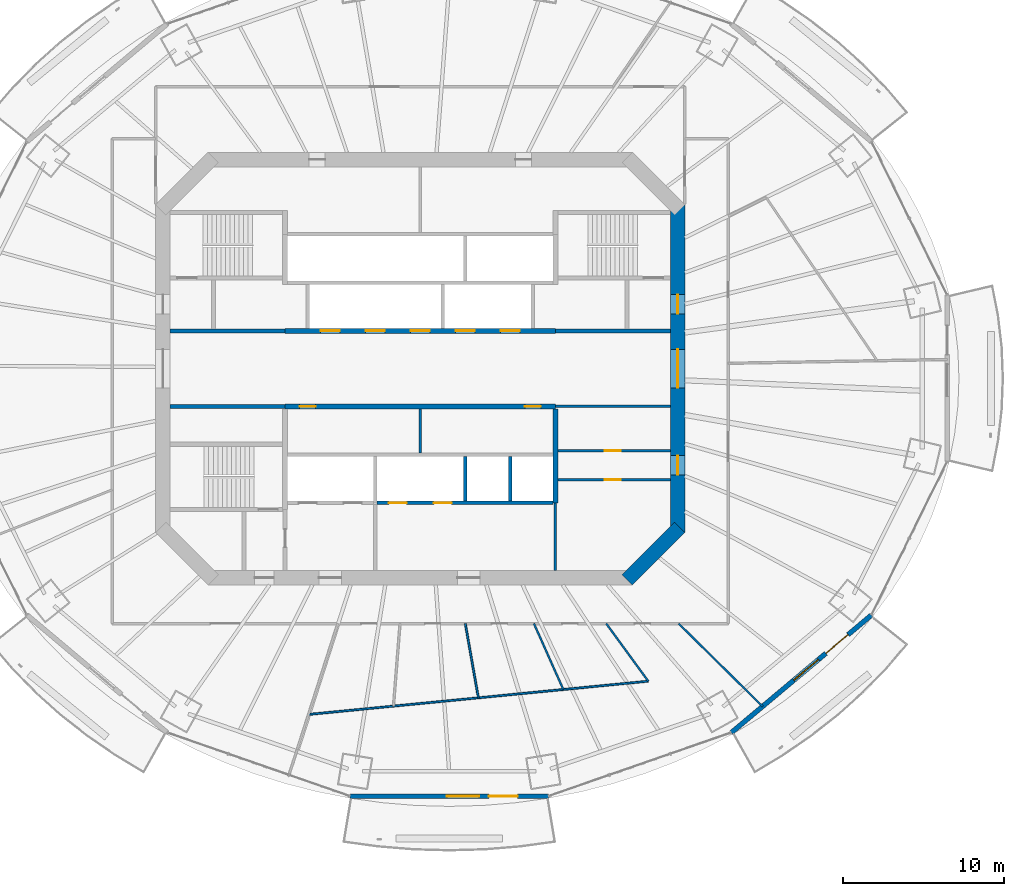
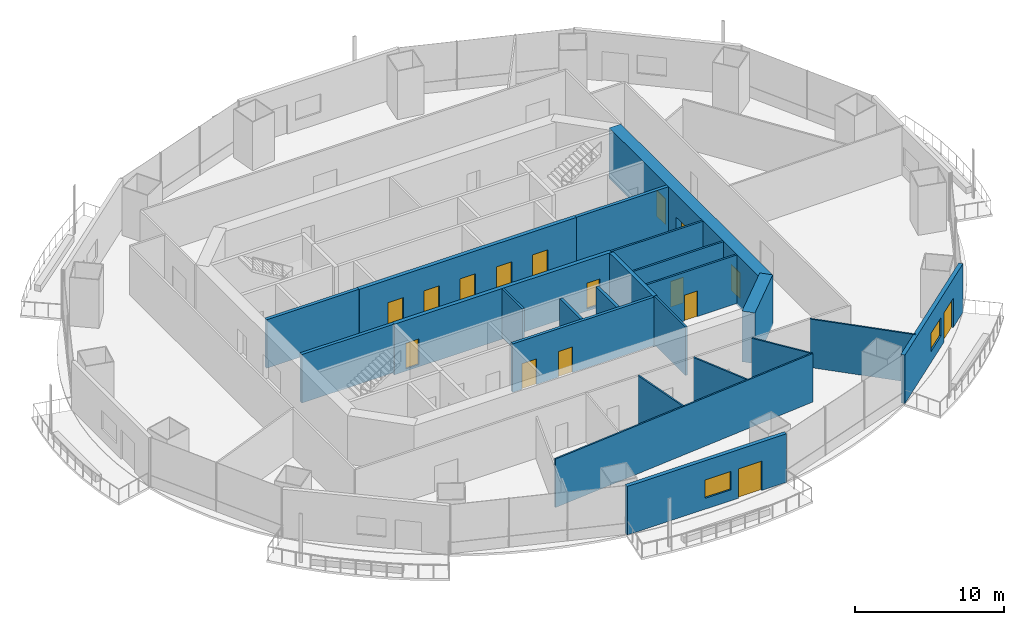
# One storey, part 13 of 21: 23 walls, 16 doors, 2 windows, 18 openings.
"""IFC4 building model written with IfcOpenShell, lengths in metres."""

from ifc_helpers import new_model, si_unit, direction, frame, frame_2d, origin, place, context, subcontext, project, spatial, rectangle, extrude, material, layer, layer_set, type_object, element, fill, save


model = new_model("IFC4")

# Units and contexts
model_context = context("Model", 3, precision=1e-05, world=origin(), true_north=direction((0.0, 1.0)))
body_context = subcontext(model_context, "Body", "Model", "MODEL_VIEW")
ifc_project = project(units=[si_unit("LENGTHUNIT", "METRE"), si_unit("AREAUNIT", "SQUARE_METRE"), si_unit("VOLUMEUNIT", "CUBIC_METRE"), si_unit("PLANEANGLEUNIT", "RADIAN"), si_unit("MASSUNIT", "GRAM", prefix="KILO")], contexts=[model_context])

# Site, building, storey
site_placement = place(None, origin())
site = spatial("IfcSite", under=ifc_project, at=site_placement, CompositionType="ELEMENT")
building_placement = place(site_placement, origin())
building = spatial("IfcBuilding", under=site, at=building_placement, Name="Marenthal Gate Tower", CompositionType="ELEMENT")
storey_placement = place(building_placement, frame((0.0, 0.0, 202.550048828125)))
storey = spatial("IfcBuildingStorey", under=building, at=storey_placement, Name="L44", CompositionType="ELEMENT", Elevation=202.550048828125)

# Wall
ifc_material_1 = material(Name="Concrete 60 MPa", Category="concrete")
ifc_layer_1 = layer(ifc_material_1, 0.89990234375)
ifc_layer_set_1 = layer_set([ifc_layer_1], Name="Core shear wall 900")
wall_type_1 = type_object("IfcWallType", Name="Core shear wall 900", PredefinedType="SHEAR", material=ifc_layer_set_1)
wall_1_placement = place(storey_placement, frame((12.8681640625, -13.1318359375, -0.179931640625), z_axis=(0.0, 0.0, 1.0), x_axis=(0.707106781187, 0.707106781187, 0.0)))
element("IfcWall", 1, at=wall_1_placement, inside=storey, type_object=wall_type_1, Name="Core wall 01", PredefinedType="SHEAR", context=body_context, shape_type="SweptSolid", body=[
    extrude(rectangle(XDim=4.615478515625, YDim=0.89990234375, at=frame_2d((2.3076171875, 0.0))), origin(), (0.0, 0.0, 1.0), 4.14990234375),
])

# Wall, openings, doors
wall_2_placement = place(storey_placement, frame((16.0, -10.186279296875, -0.179931640625), z_axis=(0.0, 0.0, 1.0), x_axis=(0.0, 1.0, 0.0)))
wall_2 = element("IfcWall", 2, at=wall_2_placement, inside=storey, type_object=wall_type_1, Name="Core wall 02", PredefinedType="SHEAR", context=body_context, shape_type="SweptSolid", body=[
    extrude(rectangle(XDim=20.37255859375, YDim=0.89990234375, at=frame_2d((10.186279296875, 0.0))), origin(), (0.0, 0.0, 1.0), 4.14990234375),
])
opening_1_placement = place(wall_2_placement, frame((8.986328125, 0.0, 0.179931640625)))
opening_1 = element("IfcOpeningElement", 3, at=opening_1_placement, cuts=wall_2, Name="Opening D003.02", PredefinedType="OPENING", context=body_context, shape_type="SweptSolid", body=[
    extrude(rectangle(XDim=2.39990234375, YDim=2.10009765625, at=frame_2d((1.199951171875, 1.050048828125))), frame((0.0, 0.4599609375, 0.0), z_axis=(0.0, -1.0, 0.0), x_axis=(1.0, 0.0, 0.0)), (0.0, 0.0, 1.0), 0.919921875),
])
opening_2_placement = place(wall_2_placement, frame((13.58642578125, 0.0, 0.179931640625)))
opening_2 = element("IfcOpeningElement", 4, at=opening_2_placement, cuts=wall_2, Name="Opening D001.05", PredefinedType="OPENING", context=body_context, shape_type="SweptSolid", body=[
    extrude(rectangle(XDim=1.199951171875, YDim=2.10009765625, at=frame_2d((0.60009765625, 1.050048828125))), frame((0.0, 0.4599609375, 0.0), z_axis=(0.0, -1.0, 0.0), x_axis=(1.0, 0.0, 0.0)), (0.0, 0.0, 1.0), 0.919921875),
])
opening_3_placement = place(wall_2_placement, frame((3.58642578125, 0.0, 0.179931640625)))
opening_3 = element("IfcOpeningElement", 5, at=opening_3_placement, cuts=wall_2, Name="Opening D006.01", PredefinedType="OPENING", context=body_context, shape_type="SweptSolid", body=[
    extrude(rectangle(XDim=1.199951171875, YDim=2.10009765625, at=frame_2d((0.60009765625, 1.050048828125))), frame((0.0, 0.4599609375, 0.0), z_axis=(0.0, -1.0, 0.0), x_axis=(1.0, 0.0, 0.0)), (0.0, 0.0, 1.0), 0.919921875),
])
ifc_material_2 = material(Name="Steel fire door", Category="steel")
door_type_1 = type_object("IfcDoorType", Name="Double fire door FD 45 2400 x 2100", OperationType="DOUBLE_DOOR_SINGLE_SWING", PredefinedType="DOOR", material=ifc_material_2)
door_1_placement = place(opening_1_placement, origin())
door_1 = element("IfcDoor", 6, at=door_1_placement, inside=storey, type_object=door_type_1, Name="Door D003.02", OperationType="DOUBLE_DOOR_SINGLE_SWING", OverallHeight=2.10009765625, OverallWidth=2.39990234375, PredefinedType="DOOR", context=body_context, shape_type="SweptSolid", body=[
    extrude(rectangle(XDim=2.39990234375, YDim=2.10009765625, at=frame_2d((1.199951171875, 1.050048828125))), frame((0.0, 0.02490234375, 0.0), z_axis=(0.0, -1.0, 0.0), x_axis=(1.0, 0.0, 0.0)), (0.0, 0.0, 1.0), 0.050048828125),
])
fill(opening_1, door_1)
ifc_material_3 = material(Name="Steel fire door", Category="steel")
door_type_2 = type_object("IfcDoorType", Name="Fire door FD 45 1200 x 2100", OperationType="NOTDEFINED", PredefinedType="DOOR", material=ifc_material_3)
door_2_placement = place(opening_3_placement, origin())
door_2 = element("IfcDoor", 7, at=door_2_placement, inside=storey, type_object=door_type_2, Name="Door D006.01", OperationType="SINGLE_SWING_RIGHT", OverallHeight=2.10009765625, OverallWidth=1.199951171875, PredefinedType="DOOR", context=body_context, shape_type="SweptSolid", body=[
    extrude(rectangle(XDim=1.199951171875, YDim=2.10009765625, at=frame_2d((0.60009765625, 1.050048828125))), frame((0.0, 0.02490234375, 0.0), z_axis=(0.0, -1.0, 0.0), x_axis=(1.0, 0.0, 0.0)), (0.0, 0.0, 1.0), 0.050048828125),
])
fill(opening_3, door_2)
ifc_material_4 = material(Name="Steel fire door", Category="steel")
door_type_3 = type_object("IfcDoorType", Name="Fire door FD 90 1200 x 2100", OperationType="NOTDEFINED", PredefinedType="DOOR", material=ifc_material_4)
door_3_placement = place(opening_2_placement, origin())
door_3 = element("IfcDoor", 8, at=door_3_placement, inside=storey, type_object=door_type_3, Name="Door D001.05", OperationType="SINGLE_SWING_RIGHT", OverallHeight=2.10009765625, OverallWidth=1.199951171875, PredefinedType="DOOR", context=body_context, shape_type="SweptSolid", body=[
    extrude(rectangle(XDim=1.199951171875, YDim=2.10009765625, at=frame_2d((0.60009765625, 1.050048828125))), frame((0.0, 0.02490234375, 0.0), z_axis=(0.0, -1.0, 0.0), x_axis=(1.0, 0.0, 0.0)), (0.0, 0.0, 1.0), 0.050048828125),
])
fill(opening_2, door_3)

ifc_material_5 = material(Name="Concrete 50 MPa", Category="concrete")
ifc_layer_2 = layer(ifc_material_5, 0.300048828125)
ifc_layer_set_2 = layer_set([ifc_layer_2], Name="Hoistway shear wall 300")
wall_type_2 = type_object("IfcWallType", Name="Hoistway shear wall 300", PredefinedType="SHEAR", material=ifc_layer_set_2)
wall_3_placement = place(storey_placement, frame((-8.39990234375, -2.35009765625, -0.179931640625), z_axis=(0.0, 0.0, 1.0), x_axis=(1.0, 0.0, 0.0)))
wall_3 = element("IfcWall", 9, at=wall_3_placement, inside=storey, type_object=wall_type_2, Name="Hoistway wall 17", PredefinedType="SHEAR", context=body_context, shape_type="SweptSolid", body=[
    extrude(rectangle(XDim=16.7998046875, YDim=0.300048828125, at=frame_2d((8.39990234375, 0.0))), origin(), (0.0, 0.0, 1.0), 4.14990234375),
])
opening_4_placement = place(wall_3_placement, frame((0.89990234375, 0.0, 0.179931640625)))
opening_4 = element("IfcOpeningElement", 10, at=opening_4_placement, cuts=wall_3, Name="Opening D005.01", PredefinedType="OPENING", context=body_context, shape_type="SweptSolid", body=[
    extrude(rectangle(XDim=1.0, YDim=2.10009765625, at=frame_2d((0.5, 1.050048828125))), frame((0.0, 0.16015625, 0.0), z_axis=(0.0, -1.0, 0.0), x_axis=(1.0, 0.0, 0.0)), (0.0, 0.0, 1.0), 0.320068359375),
])
opening_5_placement = place(wall_3_placement, frame((14.89990234375, 0.0, 0.179931640625)))
opening_5 = element("IfcOpeningElement", 11, at=opening_5_placement, cuts=wall_3, Name="Opening D005.02", PredefinedType="OPENING", context=body_context, shape_type="SweptSolid", body=[
    extrude(rectangle(XDim=1.0, YDim=2.10009765625, at=frame_2d((0.5, 1.050048828125))), frame((0.0, 0.16015625, 0.0), z_axis=(0.0, -1.0, 0.0), x_axis=(1.0, 0.0, 0.0)), (0.0, 0.0, 1.0), 0.320068359375),
])
ifc_material_6 = material(Name="Steel fire door", Category="steel")
door_type_4 = type_object("IfcDoorType", Name="Fire door FD 45 1000 x 2100", OperationType="NOTDEFINED", PredefinedType="DOOR", material=ifc_material_6)
door_4_placement = place(opening_4_placement, frame((1.0, 0.0, 0.0), z_axis=(0.0, 0.0, 1.0), x_axis=(-1.0, 0.0, 0.0)))
door_4 = element("IfcDoor", 12, at=door_4_placement, inside=storey, type_object=door_type_4, Name="Door D005.01", OperationType="SINGLE_SWING_LEFT", OverallHeight=2.10009765625, OverallWidth=1.0, PredefinedType="DOOR", context=body_context, shape_type="SweptSolid", body=[
    extrude(rectangle(XDim=1.0, YDim=2.10009765625, at=frame_2d((0.5, 1.050048828125))), frame((0.0, 0.02490234375, 0.0), z_axis=(0.0, -1.0, 0.0), x_axis=(1.0, 0.0, 0.0)), (0.0, 0.0, 1.0), 0.050048828125),
])
fill(opening_4, door_4)
door_5_placement = place(opening_5_placement, frame((1.0, 0.0, 0.0), z_axis=(0.0, 0.0, 1.0), x_axis=(-1.0, 0.0, 0.0)))
door_5 = element("IfcDoor", 13, at=door_5_placement, inside=storey, type_object=door_type_4, Name="Door D005.02", OperationType="SINGLE_SWING_LEFT", OverallHeight=2.10009765625, OverallWidth=1.0, PredefinedType="DOOR", context=body_context, shape_type="SweptSolid", body=[
    extrude(rectangle(XDim=1.0, YDim=2.10009765625, at=frame_2d((0.5, 1.050048828125))), frame((0.0, 0.02490234375, 0.0), z_axis=(0.0, -1.0, 0.0), x_axis=(1.0, 0.0, 0.0)), (0.0, 0.0, 1.0), 0.050048828125),
])
fill(opening_5, door_5)

wall_4_placement = place(storey_placement, frame((-8.39990234375, 2.35009765625, -0.179931640625), z_axis=(0.0, 0.0, 1.0), x_axis=(1.0, 0.0, 0.0)))
wall_4 = element("IfcWall", 14, at=wall_4_placement, inside=storey, type_object=wall_type_2, Name="Hoistway wall 20", PredefinedType="SHEAR", context=body_context, shape_type="SweptSolid", body=[
    extrude(rectangle(XDim=16.7998046875, YDim=0.300048828125, at=frame_2d((8.39990234375, 0.0))), origin(), (0.0, 0.0, 1.0), 4.14990234375),
])
opening_6_placement = place(wall_4_placement, frame((2.199951171875, 0.0, 0.179931640625)))
opening_6 = element("IfcOpeningElement", 15, at=opening_6_placement, cuts=wall_4, Name="Opening LD-MP1", PredefinedType="OPENING", context=body_context, shape_type="SweptSolid", body=[
    extrude(rectangle(XDim=1.199951171875, YDim=2.10009765625, at=frame_2d((0.60009765625, 1.050048828125))), frame((0.0, 0.16015625, 0.0), z_axis=(0.0, -1.0, 0.0), x_axis=(1.0, 0.0, 0.0)), (0.0, 0.0, 1.0), 0.320068359375),
])
opening_7_placement = place(wall_4_placement, frame((5.0, 0.0, 0.179931640625)))
opening_7 = element("IfcOpeningElement", 16, at=opening_7_placement, cuts=wall_4, Name="Opening LD-MP2", PredefinedType="OPENING", context=body_context, shape_type="SweptSolid", body=[
    extrude(rectangle(XDim=1.199951171875, YDim=2.10009765625, at=frame_2d((0.60009765625, 1.050048828125))), frame((0.0, 0.16015625, 0.0), z_axis=(0.0, -1.0, 0.0), x_axis=(1.0, 0.0, 0.0)), (0.0, 0.0, 1.0), 0.320068359375),
])
opening_8_placement = place(wall_4_placement, frame((7.800048828125, 0.0, 0.179931640625)))
opening_8 = element("IfcOpeningElement", 17, at=opening_8_placement, cuts=wall_4, Name="Opening LD-MP3", PredefinedType="OPENING", context=body_context, shape_type="SweptSolid", body=[
    extrude(rectangle(XDim=1.199951171875, YDim=2.10009765625, at=frame_2d((0.60009765625, 1.050048828125))), frame((0.0, 0.16015625, 0.0), z_axis=(0.0, -1.0, 0.0), x_axis=(1.0, 0.0, 0.0)), (0.0, 0.0, 1.0), 0.320068359375),
])
opening_9_placement = place(wall_4_placement, frame((10.60009765625, 0.0, 0.179931640625)))
opening_9 = element("IfcOpeningElement", 18, at=opening_9_placement, cuts=wall_4, Name="Opening LD-MP4", PredefinedType="OPENING", context=body_context, shape_type="SweptSolid", body=[
    extrude(rectangle(XDim=1.199951171875, YDim=2.10009765625, at=frame_2d((0.60009765625, 1.050048828125))), frame((0.0, 0.16015625, 0.0), z_axis=(0.0, -1.0, 0.0), x_axis=(1.0, 0.0, 0.0)), (0.0, 0.0, 1.0), 0.320068359375),
])
opening_10_placement = place(wall_4_placement, frame((13.39990234375, 0.0, 0.179931640625)))
opening_10 = element("IfcOpeningElement", 19, at=opening_10_placement, cuts=wall_4, Name="Opening LD-MP5", PredefinedType="OPENING", context=body_context, shape_type="SweptSolid", body=[
    extrude(rectangle(XDim=1.199951171875, YDim=2.10009765625, at=frame_2d((0.60009765625, 1.050048828125))), frame((0.0, 0.16015625, 0.0), z_axis=(0.0, -1.0, 0.0), x_axis=(1.0, 0.0, 0.0)), (0.0, 0.0, 1.0), 0.320068359375),
])
ifc_material_7 = material(Name="Stainless steel sliding door", Category="steel")
door_type_5 = type_object("IfcDoorType", Name="Lift landing door FD 90 1200 x 2100", OperationType="DOUBLE_DOOR_SLIDING", PredefinedType="DOOR", material=ifc_material_7)
door_6_placement = place(opening_6_placement, origin())
door_6 = element("IfcDoor", 20, at=door_6_placement, inside=storey, type_object=door_type_5, Name="Lift landing door MP1", OperationType="DOUBLE_DOOR_SLIDING", OverallHeight=2.10009765625, OverallWidth=1.199951171875, PredefinedType="DOOR", context=body_context, shape_type="SweptSolid", body=[
    extrude(rectangle(XDim=1.199951171875, YDim=2.10009765625, at=frame_2d((0.60009765625, 1.050048828125))), frame((0.0, 0.02490234375, 0.0), z_axis=(0.0, -1.0, 0.0), x_axis=(1.0, 0.0, 0.0)), (0.0, 0.0, 1.0), 0.050048828125),
])
fill(opening_6, door_6)
door_7_placement = place(opening_7_placement, origin())
door_7 = element("IfcDoor", 21, at=door_7_placement, inside=storey, type_object=door_type_5, Name="Lift landing door MP2", OperationType="DOUBLE_DOOR_SLIDING", OverallHeight=2.10009765625, OverallWidth=1.199951171875, PredefinedType="DOOR", context=body_context, shape_type="SweptSolid", body=[
    extrude(rectangle(XDim=1.199951171875, YDim=2.10009765625, at=frame_2d((0.60009765625, 1.050048828125))), frame((0.0, 0.02490234375, 0.0), z_axis=(0.0, -1.0, 0.0), x_axis=(1.0, 0.0, 0.0)), (0.0, 0.0, 1.0), 0.050048828125),
])
fill(opening_7, door_7)
door_8_placement = place(opening_8_placement, origin())
door_8 = element("IfcDoor", 22, at=door_8_placement, inside=storey, type_object=door_type_5, Name="Lift landing door MP3", OperationType="DOUBLE_DOOR_SLIDING", OverallHeight=2.10009765625, OverallWidth=1.199951171875, PredefinedType="DOOR", context=body_context, shape_type="SweptSolid", body=[
    extrude(rectangle(XDim=1.199951171875, YDim=2.10009765625, at=frame_2d((0.60009765625, 1.050048828125))), frame((0.0, 0.02490234375, 0.0), z_axis=(0.0, -1.0, 0.0), x_axis=(1.0, 0.0, 0.0)), (0.0, 0.0, 1.0), 0.050048828125),
])
fill(opening_8, door_8)
door_9_placement = place(opening_9_placement, origin())
door_9 = element("IfcDoor", 23, at=door_9_placement, inside=storey, type_object=door_type_5, Name="Lift landing door MP4", OperationType="DOUBLE_DOOR_SLIDING", OverallHeight=2.10009765625, OverallWidth=1.199951171875, PredefinedType="DOOR", context=body_context, shape_type="SweptSolid", body=[
    extrude(rectangle(XDim=1.199951171875, YDim=2.10009765625, at=frame_2d((0.60009765625, 1.050048828125))), frame((0.0, 0.02490234375, 0.0), z_axis=(0.0, -1.0, 0.0), x_axis=(1.0, 0.0, 0.0)), (0.0, 0.0, 1.0), 0.050048828125),
])
fill(opening_9, door_9)
door_10_placement = place(opening_10_placement, origin())
door_10 = element("IfcDoor", 24, at=door_10_placement, inside=storey, type_object=door_type_5, Name="Lift landing door MP5", OperationType="DOUBLE_DOOR_SLIDING", OverallHeight=2.10009765625, OverallWidth=1.199951171875, PredefinedType="DOOR", context=body_context, shape_type="SweptSolid", body=[
    extrude(rectangle(XDim=1.199951171875, YDim=2.10009765625, at=frame_2d((0.60009765625, 1.050048828125))), frame((0.0, 0.02490234375, 0.0), z_axis=(0.0, -1.0, 0.0), x_axis=(1.0, 0.0, 0.0)), (0.0, 0.0, 1.0), 0.050048828125),
])
fill(opening_10, door_10)

# Wall
wall_5_placement = place(storey_placement, frame((8.39990234375, -8.35009765625, -0.179931640625), z_axis=(0.0, 0.0, 1.0), x_axis=(0.0, 1.0, 0.0)))
element("IfcWall", 25, at=wall_5_placement, inside=storey, type_object=wall_type_2, Name="Hoistway wall 45", PredefinedType="SHEAR", context=body_context, shape_type="SweptSolid", body=[
    extrude(rectangle(XDim=5.85009765625, YDim=0.300048828125, at=frame_2d((2.925048828125, 0.0))), origin(), (0.0, 0.0, 1.0), 4.14990234375),
])

# Wall, openings, doors
ifc_material_8 = material(Name="Concrete 40 MPa", Category="concrete")
ifc_layer_3 = layer(ifc_material_8, 0.219970703125)
ifc_layer_set_3 = layer_set([ifc_layer_3], Name="Hoistway wall 220")
wall_type_3 = type_object("IfcWallType", Name="Hoistway wall 220", PredefinedType="STANDARD", material=ifc_layer_set_3)
wall_6_placement = place(storey_placement, frame((-2.68994140625, -8.35009765625, 0.0), z_axis=(0.0, 0.0, 1.0), x_axis=(1.0, 0.0, 0.0)))
wall_6 = element("IfcWall", 26, at=wall_6_placement, inside=storey, type_object=wall_type_3, Name="Hoistway wall 11", PredefinedType="STANDARD", context=body_context, shape_type="SweptSolid", body=[
    extrude(rectangle(XDim=10.93994140625, YDim=0.219970703125, at=frame_2d((5.469970703125, 0.0))), origin(), (0.0, 0.0, 1.0), 3.969970703125),
])
opening_11_placement = place(wall_6_placement, frame((0.739990234375, 0.0, 0.0)))
opening_11 = element("IfcOpeningElement", 27, at=opening_11_placement, cuts=wall_6, Name="Opening LD-SV1", PredefinedType="OPENING", context=body_context, shape_type="SweptSolid", body=[
    extrude(rectangle(XDim=1.10009765625, YDim=2.10009765625, at=frame_2d((0.550048828125, 1.050048828125))), frame((0.0, 0.1201171875, 0.0), z_axis=(0.0, -1.0, 0.0), x_axis=(1.0, 0.0, 0.0)), (0.0, 0.0, 1.0), 0.239990234375),
])
opening_12_placement = place(wall_6_placement, frame((3.5400390625, 0.0, 0.0)))
opening_12 = element("IfcOpeningElement", 28, at=opening_12_placement, cuts=wall_6, Name="Opening LD-SV2", PredefinedType="OPENING", context=body_context, shape_type="SweptSolid", body=[
    extrude(rectangle(XDim=1.10009765625, YDim=2.10009765625, at=frame_2d((0.550048828125, 1.050048828125))), frame((0.0, 0.1201171875, 0.0), z_axis=(0.0, -1.0, 0.0), x_axis=(1.0, 0.0, 0.0)), (0.0, 0.0, 1.0), 0.239990234375),
])
ifc_material_9 = material(Name="Stainless steel sliding door", Category="steel")
door_type_6 = type_object("IfcDoorType", Name="Lift landing door FD 90 1100 x 2100", OperationType="DOUBLE_DOOR_SLIDING", PredefinedType="DOOR", material=ifc_material_9)
door_11_placement = place(opening_11_placement, origin())
door_11 = element("IfcDoor", 29, at=door_11_placement, inside=storey, type_object=door_type_6, Name="Lift landing door SV1", OperationType="DOUBLE_DOOR_SLIDING", OverallHeight=2.10009765625, OverallWidth=1.10009765625, PredefinedType="DOOR", context=body_context, shape_type="SweptSolid", body=[
    extrude(rectangle(XDim=1.10009765625, YDim=2.10009765625, at=frame_2d((0.550048828125, 1.050048828125))), frame((0.0, 0.02490234375, 0.0), z_axis=(0.0, -1.0, 0.0), x_axis=(1.0, 0.0, 0.0)), (0.0, 0.0, 1.0), 0.050048828125),
])
fill(opening_11, door_11)
door_12_placement = place(opening_12_placement, origin())
door_12 = element("IfcDoor", 30, at=door_12_placement, inside=storey, type_object=door_type_6, Name="Lift landing door SV2", OperationType="DOUBLE_DOOR_SLIDING", OverallHeight=2.10009765625, OverallWidth=1.10009765625, PredefinedType="DOOR", context=body_context, shape_type="SweptSolid", body=[
    extrude(rectangle(XDim=1.10009765625, YDim=2.10009765625, at=frame_2d((0.550048828125, 1.050048828125))), frame((0.0, 0.02490234375, 0.0), z_axis=(0.0, -1.0, 0.0), x_axis=(1.0, 0.0, 0.0)), (0.0, 0.0, 1.0), 0.050048828125),
])
fill(opening_12, door_12)

# Walls
for number, where, z_axis, x_axis, name in (
    (31, (2.800048828125, -8.239990234375, 0.0), (0.0, 0.0, 1.0), (0.0, 1.0, 0.0), "Hoistway wall 40"),
    (32, (5.60009765625, -8.239990234375, 0.0), (0.0, 0.0, 1.0), (0.0, 1.0, 0.0), "Hoistway wall 42"),
):
    element("IfcWall", number, at=place(storey_placement, frame(where, z_axis=z_axis, x_axis=x_axis)), inside=storey, type_object=wall_type_3, Name=name, PredefinedType="STANDARD", context=body_context, shape_type="SweptSolid", body=[
        extrude(rectangle(XDim=2.780029296875, YDim=0.219970703125, at=frame_2d((1.39013671875, 0.0))), origin(), (0.0, 0.0, 1.0), 3.969970703125),
    ])
ifc_material_10 = material(Name="Gypsum board on steel studs", Category="steel")
ifc_layer_4 = layer(ifc_material_10, 0.1201171875)
ifc_layer_set_4 = layer_set([ifc_layer_4], Name="Partition 120")
wall_type_4 = type_object("IfcWallType", Name="Partition 120", PredefinedType="PARTITIONING", material=ifc_layer_set_4)
wall_7_placement = place(storey_placement, frame((-6.946044921875, -21.498291015625, 0.0), z_axis=(0.0, 0.0, 1.0), x_axis=(0.995245004441, 0.097403188531, 0.0)))
element("IfcWall", 33, at=wall_7_placement, inside=storey, type_object=wall_type_4, Name="Partition wall 54", PredefinedType="PARTITIONING", context=body_context, shape_type="SweptSolid", body=[
    extrude(rectangle(XDim=21.222412109375, YDim=0.1201171875, at=frame_2d((10.611328125, 0.0))), origin(), (0.0, 0.0, 1.0), 3.969970703125),
])
wall_8_placement = place(storey_placement, frame((3.61474609375, -20.464599609375, 0.0), z_axis=(0.0, 0.0, 1.0), x_axis=(-0.173913137247, 0.984760996736, 0.0)))
element("IfcWall", 34, at=wall_8_placement, inside=storey, type_object=wall_type_4, Name="Partition wall 57", PredefinedType="PARTITIONING", context=body_context, shape_type="SweptSolid", body=[
    extrude(rectangle(XDim=4.685791015625, YDim=0.1201171875, at=frame_2d((2.3427734375, 0.0))), origin(), (0.0, 0.0, 1.0), 3.969970703125),
])
wall_9_placement = place(storey_placement, frame((8.89501953125, -19.947998046875, 0.0), z_axis=(0.0, 0.0, 1.0), x_axis=(-0.407228685497, 0.913326227428, 0.0)))
element("IfcWall", 35, at=wall_9_placement, inside=storey, type_object=wall_type_4, Name="Partition wall 58", PredefinedType="PARTITIONING", context=body_context, shape_type="SweptSolid", body=[
    extrude(rectangle(XDim=4.48681640625, YDim=0.1201171875, at=frame_2d((2.243408203125, 0.0))), origin(), (0.0, 0.0, 1.0), 3.969970703125),
])
wall_10_placement = place(storey_placement, frame((14.175537109375, -19.43115234375, 0.0), z_axis=(0.0, 0.0, 1.0), x_axis=(-0.589372905267, 0.807861113396, 0.0)))
element("IfcWall", 36, at=wall_10_placement, inside=storey, type_object=wall_type_4, Name="Partition wall 60", PredefinedType="PARTITIONING", context=body_context, shape_type="SweptSolid", body=[
    extrude(rectangle(XDim=4.432861328125, YDim=0.1201171875, at=frame_2d((2.21630859375, 0.0))), origin(), (0.0, 0.0, 1.0), 3.969970703125),
])
wall_11_placement = place(storey_placement, frame((16.063720703125, -15.85009765625, 0.0), z_axis=(0.0, 0.0, 1.0), x_axis=(0.71183576694, -0.702345955284, 0.0)))
element("IfcWall", 37, at=wall_11_placement, inside=storey, type_object=wall_type_4, Name="Partition wall 61", PredefinedType="PARTITIONING", context=body_context, shape_type="SweptSolid", body=[
    extrude(rectangle(XDim=7.33203125, YDim=0.1201171875, at=frame_2d((3.666015625, 0.0))), origin(), (0.0, 0.0, 1.0), 3.969970703125),
])

# Wall, opening, door
ifc_material_11 = material(Name="Gypsum board on steel studs", Category="steel")
ifc_layer_5 = layer(ifc_material_11, 0.14990234375)
ifc_layer_set_5 = layer_set([ifc_layer_5], Name="Partition 150")
wall_type_5 = type_object("IfcWallType", Name="Partition 150", PredefinedType="PARTITIONING", material=ifc_layer_set_5)
wall_12_placement = place(storey_placement, frame((8.550048828125, -6.89990234375, 0.0), z_axis=(0.0, 0.0, 1.0), x_axis=(1.0, 0.0, 0.0)))
wall_12 = element("IfcWall", 38, at=wall_12_placement, inside=storey, type_object=wall_type_5, Name="Partition wall 12", PredefinedType="PARTITIONING", context=body_context, shape_type="SweptSolid", body=[
    extrude(rectangle(XDim=7.0, YDim=0.14990234375, at=frame_2d((3.5, 0.0))), origin(), (0.0, 0.0, 1.0), 3.969970703125),
])
opening_13_placement = place(wall_12_placement, frame((2.925048828125, 0.0, 0.0)))
opening_13 = element("IfcOpeningElement", 39, at=opening_13_placement, cuts=wall_12, Name="Opening D005.06", PredefinedType="OPENING", context=body_context, shape_type="SweptSolid", body=[
    extrude(rectangle(XDim=1.0, YDim=2.10009765625, at=frame_2d((0.5, 1.050048828125))), frame((0.0, 0.0849609375, 0.0), z_axis=(0.0, -1.0, 0.0), x_axis=(1.0, 0.0, 0.0)), (0.0, 0.0, 1.0), 0.169921875),
])
door_13_placement = place(opening_13_placement, frame((1.0, 0.0, 0.0), z_axis=(0.0, 0.0, 1.0), x_axis=(-1.0, 0.0, 0.0)))
door_13 = element("IfcDoor", 40, at=door_13_placement, inside=storey, type_object=door_type_4, Name="Door D005.06", OperationType="SINGLE_SWING_LEFT", OverallHeight=2.10009765625, OverallWidth=1.0, PredefinedType="DOOR", context=body_context, shape_type="SweptSolid", body=[
    extrude(rectangle(XDim=1.0, YDim=2.10009765625, at=frame_2d((0.5, 1.050048828125))), frame((0.0, 0.02490234375, 0.0), z_axis=(0.0, -1.0, 0.0), x_axis=(1.0, 0.0, 0.0)), (0.0, 0.0, 1.0), 0.050048828125),
])
fill(opening_13, door_13)

wall_13_placement = place(storey_placement, frame((8.550048828125, -5.10009765625, 0.0), z_axis=(0.0, 0.0, 1.0), x_axis=(1.0, 0.0, 0.0)))
wall_13 = element("IfcWall", 41, at=wall_13_placement, inside=storey, type_object=wall_type_5, Name="Partition wall 14", PredefinedType="PARTITIONING", context=body_context, shape_type="SweptSolid", body=[
    extrude(rectangle(XDim=7.0, YDim=0.14990234375, at=frame_2d((3.5, 0.0))), origin(), (0.0, 0.0, 1.0), 3.969970703125),
])
opening_14_placement = place(wall_13_placement, frame((2.925048828125, 0.0, 0.0)))
opening_14 = element("IfcOpeningElement", 42, at=opening_14_placement, cuts=wall_13, Name="Opening D005.05", PredefinedType="OPENING", context=body_context, shape_type="SweptSolid", body=[
    extrude(rectangle(XDim=1.0, YDim=2.10009765625, at=frame_2d((0.5, 1.050048828125))), frame((0.0, 0.0849609375, 0.0), z_axis=(0.0, -1.0, 0.0), x_axis=(1.0, 0.0, 0.0)), (0.0, 0.0, 1.0), 0.169921875),
])
door_14_placement = place(opening_14_placement, origin())
door_14 = element("IfcDoor", 43, at=door_14_placement, inside=storey, type_object=door_type_4, Name="Door D005.05", OperationType="SINGLE_SWING_RIGHT", OverallHeight=2.10009765625, OverallWidth=1.0, PredefinedType="DOOR", context=body_context, shape_type="SweptSolid", body=[
    extrude(rectangle(XDim=1.0, YDim=2.10009765625, at=frame_2d((0.5, 1.050048828125))), frame((0.0, 0.02490234375, 0.0), z_axis=(0.0, -1.0, 0.0), x_axis=(1.0, 0.0, 0.0)), (0.0, 0.0, 1.0), 0.050048828125),
])
fill(opening_14, door_14)

# Walls
wall_14_placement = place(storey_placement, frame((8.39990234375, -2.35009765625, 0.0), z_axis=(0.0, 0.0, 1.0), x_axis=(1.0, 0.0, 0.0)))
element("IfcWall", 44, at=wall_14_placement, inside=storey, type_object=wall_type_5, Name="Partition wall 18", PredefinedType="PARTITIONING", context=body_context, shape_type="SweptSolid", body=[
    extrude(rectangle(XDim=7.150146484375, YDim=0.14990234375, at=frame_2d((3.5751953125, 0.0))), origin(), (0.0, 0.0, 1.0), 3.969970703125),
])
wall_15_placement = place(storey_placement, frame((0.0, -5.239990234375, 0.0), z_axis=(0.0, 0.0, 1.0), x_axis=(0.0, 1.0, 0.0)))
element("IfcWall", 45, at=wall_15_placement, inside=storey, type_object=wall_type_5, Name="Partition wall 37", PredefinedType="PARTITIONING", context=body_context, shape_type="SweptSolid", body=[
    extrude(rectangle(XDim=2.739990234375, YDim=0.14990234375, at=frame_2d((1.3701171875, 0.0))), origin(), (0.0, 0.0, 1.0), 3.969970703125),
])
wall_16_placement = place(storey_placement, frame((8.39990234375, -12.550048828125, 0.0), z_axis=(0.0, 0.0, 1.0), x_axis=(0.0, 1.0, 0.0)))
element("IfcWall", 46, at=wall_16_placement, inside=storey, type_object=wall_type_5, Name="Partition wall 44", PredefinedType="PARTITIONING", context=body_context, shape_type="SweptSolid", body=[
    extrude(rectangle(XDim=4.199951171875, YDim=0.14990234375, at=frame_2d((2.10009765625, 0.0))), origin(), (0.0, 0.0, 1.0), 3.969970703125),
])
ifc_material_12 = material(Name="Concrete 40 MPa", Category="concrete")
ifc_layer_6 = layer(ifc_material_12, 0.25)
ifc_layer_set_6 = layer_set([ifc_layer_6], Name="Stair enclosure wall 250")
wall_type_6 = type_object("IfcWallType", Name="Stair enclosure wall 250", PredefinedType="STANDARD", material=ifc_layer_set_6)
for number, where, z_axis, x_axis, name in (
    (47, (-15.550048828125, -2.35009765625, 0.0), (0.0, 0.0, 1.0), (1.0, 0.0, 0.0), "Stair wall 16"),
    (48, (-15.550048828125, 2.35009765625, 0.0), (0.0, 0.0, 1.0), (1.0, 0.0, 0.0), "Stair wall 19"),
    (49, (8.39990234375, 2.35009765625, 0.0), (0.0, 0.0, 1.0), (1.0, 0.0, 0.0), "Stair wall 21"),
):
    element("IfcWall", number, at=place(storey_placement, frame(where, z_axis=z_axis, x_axis=x_axis)), inside=storey, type_object=wall_type_6, Name=name, PredefinedType="STANDARD", context=body_context, shape_type="SweptSolid", body=[
        extrude(rectangle(XDim=7.150146484375, YDim=0.25, at=frame_2d((3.5751953125, 0.0))), origin(), (0.0, 0.0, 1.0), 3.969970703125),
    ])

# Wall, openings, door, window
ifc_material_13 = material(Name="Terracotta cladding on insulated concrete-block backing", Category="masonry")
ifc_layer_7 = layer(ifc_material_13, 0.300048828125)
ifc_layer_set_7 = layer_set([ifc_layer_7], Name="Terracotta facade wall 300")
wall_type_7 = type_object("IfcWallType", Name="Terracotta facade wall 300", PredefinedType="SOLIDWALL", material=ifc_layer_set_7)
wall_17_placement = place(storey_placement, frame((-4.359375, -26.5859375, 0.0), z_axis=(0.0, 0.0, 1.0), x_axis=(1.0, 0.0, 0.0)))
wall_17 = element("IfcWall", 50, at=wall_17_placement, inside=storey, type_object=wall_type_7, Name="Terracotta facade wall L44 bay 12", PredefinedType="SOLIDWALL", context=body_context, shape_type="SweptSolid", body=[
    extrude(rectangle(XDim=12.31884765625, YDim=0.300048828125, at=frame_2d((6.159423828125, 0.0))), origin(), (0.0, 0.0, 1.0), 3.969970703125),
])
opening_15_placement = place(wall_17_placement, frame((8.618896484375, 0.0, 0.0)))
opening_15 = element("IfcOpeningElement", 51, at=opening_15_placement, cuts=wall_17, Name="Opening BD-L44-12", PredefinedType="OPENING", context=body_context, shape_type="SweptSolid", body=[
    extrude(rectangle(XDim=1.800048828125, YDim=2.39990234375, at=frame_2d((0.89990234375, 1.199951171875))), frame((0.0, 0.16015625, 0.0), z_axis=(0.0, -1.0, 0.0), x_axis=(1.0, 0.0, 0.0)), (0.0, 0.0, 1.0), 0.320068359375),
])
opening_16_placement = place(wall_17_placement, frame((6.018798828125, 0.0, 0.89990234375)))
opening_16 = element("IfcOpeningElement", 52, at=opening_16_placement, cuts=wall_17, Name="Opening WN2-L44-12", PredefinedType="OPENING", context=body_context, shape_type="SweptSolid", body=[
    extrude(rectangle(XDim=2.0, YDim=1.5, at=frame_2d((1.0, 0.75))), frame((0.0, 0.16015625, 0.0), z_axis=(0.0, -1.0, 0.0), x_axis=(1.0, 0.0, 0.0)), (0.0, 0.0, 1.0), 0.320068359375),
])
ifc_material_14 = material(Name="Aluminium and glass", Category="aluminium")
door_type_7 = type_object("IfcDoorType", Name="Balcony door 1800x2400", OperationType="DOUBLE_DOOR_SINGLE_SWING", PredefinedType="DOOR", material=ifc_material_14)
door_15_placement = place(opening_15_placement, origin())
door_15 = element("IfcDoor", 53, at=door_15_placement, inside=storey, type_object=door_type_7, Name="Balcony door L44 bay 12", OperationType="SINGLE_SWING_LEFT", OverallHeight=2.39990234375, OverallWidth=1.800048828125, PredefinedType="DOOR", context=body_context, shape_type="SweptSolid", body=[
    extrude(rectangle(XDim=1.800048828125, YDim=2.39990234375, at=frame_2d((0.89990234375, 1.199951171875))), frame((0.0, 0.02490234375, 0.0), z_axis=(0.0, -1.0, 0.0), x_axis=(1.0, 0.0, 0.0)), (0.0, 0.0, 1.0), 0.050048828125),
])
fill(opening_15, door_15)
ifc_material_15 = material(Name="Aluminium and glass", Category="aluminium")
window_type = type_object("IfcWindowType", Name="Window 2000x1500", PartitioningType="DOUBLE_PANEL_VERTICAL", PredefinedType="WINDOW", material=ifc_material_15)
window_1_placement = place(opening_16_placement, origin())
window_1 = element("IfcWindow", 54, at=window_1_placement, inside=storey, type_object=window_type, Name="Window L44 bay 12", OverallHeight=1.5, OverallWidth=2.0, PartitioningType="SINGLE_PANEL", PredefinedType="WINDOW", context=body_context, shape_type="SweptSolid", body=[
    extrude(rectangle(XDim=2.0, YDim=1.5, at=frame_2d((1.0, 0.75))), frame((0.0, 0.030029296875, 0.0), z_axis=(0.0, -1.0, 0.0), x_axis=(1.0, 0.0, 0.0)), (0.0, 0.0, 1.0), 0.06005859375),
])
fill(opening_16, window_1)

wall_18_placement = place(storey_placement, frame((19.340576171875, -22.6298828125, 0.0), z_axis=(0.0, 0.0, 1.0), x_axis=(0.766004647457, 0.642835033329, 0.0)))
wall_18 = element("IfcWall", 55, at=wall_18_placement, inside=storey, type_object=wall_type_7, Name="Terracotta facade wall L44 bay 14", PredefinedType="SOLIDWALL", context=body_context, shape_type="SweptSolid", body=[
    extrude(rectangle(XDim=11.37158203125, YDim=0.300048828125, at=frame_2d((5.685791015625, 0.0))), origin(), (0.0, 0.0, 1.0), 3.969970703125),
])
opening_17_placement = place(wall_18_placement, frame((7.671630859375, 0.0, 0.0)))
opening_17 = element("IfcOpeningElement", 56, at=opening_17_placement, cuts=wall_18, Name="Opening BD-L44-14", PredefinedType="OPENING", context=body_context, shape_type="SweptSolid", body=[
    extrude(rectangle(XDim=1.800048828125, YDim=2.39990234375, at=frame_2d((0.89990234375, 1.199951171875))), frame((0.0, 0.16015625, 0.0), z_axis=(0.0, -1.0, 0.0), x_axis=(1.0, 0.0, 0.0)), (0.0, 0.0, 1.0), 0.320068359375),
])
opening_18_placement = place(wall_18_placement, frame((5.071533203125, 0.0, 0.89990234375)))
opening_18 = element("IfcOpeningElement", 57, at=opening_18_placement, cuts=wall_18, Name="Opening WN2-L44-14", PredefinedType="OPENING", context=body_context, shape_type="SweptSolid", body=[
    extrude(rectangle(XDim=2.0, YDim=1.5, at=frame_2d((1.0, 0.75))), frame((0.0, 0.16015625, 0.0), z_axis=(0.0, -1.0, 0.0), x_axis=(1.0, 0.0, 0.0)), (0.0, 0.0, 1.0), 0.320068359375),
])
door_16_placement = place(opening_17_placement, origin())
door_16 = element("IfcDoor", 58, at=door_16_placement, inside=storey, type_object=door_type_7, Name="Balcony door L44 bay 14", OperationType="SINGLE_SWING_LEFT", OverallHeight=2.39990234375, OverallWidth=1.800048828125, PredefinedType="DOOR", context=body_context, shape_type="SweptSolid", body=[
    extrude(rectangle(XDim=1.800048828125, YDim=2.39990234375, at=frame_2d((0.89990234375, 1.199951171875))), frame((0.0, 0.02490234375, 0.0), z_axis=(0.0, -1.0, 0.0), x_axis=(1.0, 0.0, 0.0)), (0.0, 0.0, 1.0), 0.050048828125),
])
fill(opening_17, door_16)
window_2_placement = place(opening_18_placement, origin())
window_2 = element("IfcWindow", 59, at=window_2_placement, inside=storey, type_object=window_type, Name="Window L44 bay 14", OverallHeight=1.5, OverallWidth=2.0, PartitioningType="SINGLE_PANEL", PredefinedType="WINDOW", context=body_context, shape_type="SweptSolid", body=[
    extrude(rectangle(XDim=2.0, YDim=1.5, at=frame_2d((1.0, 0.75))), frame((0.0, 0.030029296875, 0.0), z_axis=(0.0, -1.0, 0.0), x_axis=(1.0, 0.0, 0.0)), (0.0, 0.0, 1.0), 0.06005859375),
])
fill(opening_18, window_2)

save(model, "model.ifc")
